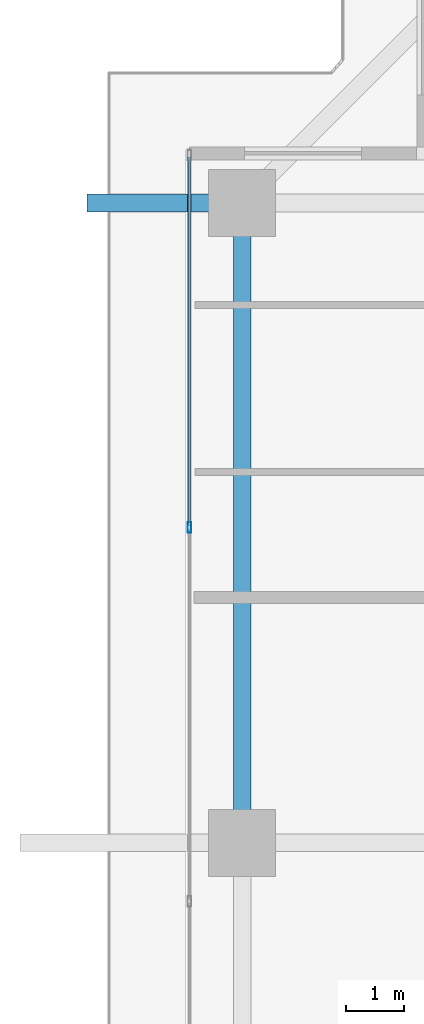
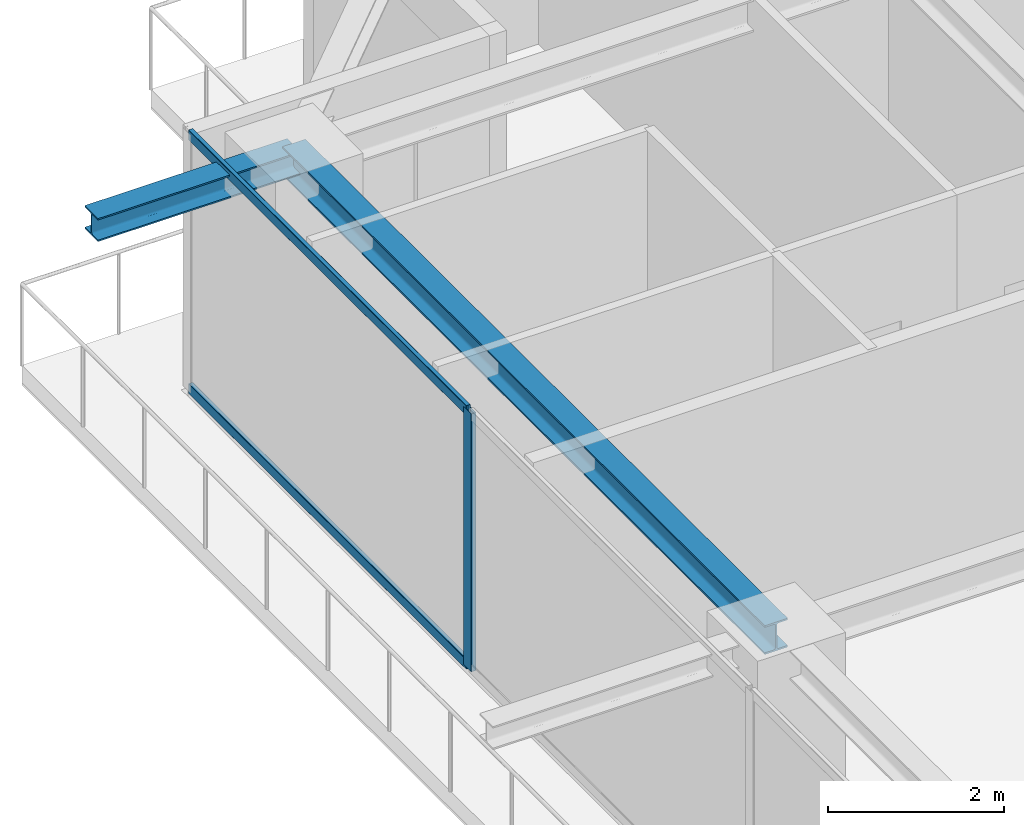
# One storey, part 16 of 37: 3 members, 2 beams, 1 element without a shape of its own.
"""IFC4 building model written with IfcOpenShell, lengths in metres."""

from ifc_helpers import new_model, si_unit, direction, frame, origin, origin_2d, place, context, subcontext, project, spatial, hollow_rectangle, i_section, extrude, source, transform, mapped, material, layer, layer_set, material_profile, profile_set, type_object, element, aggregate, save


model = new_model("IFC4")

# Units and contexts
model_context = context("Model", 3, precision=1e-05, world=origin(), true_north=direction((0.0, 1.0)))
body_context = subcontext(model_context, "Body", "Model", "MODEL_VIEW")
ifc_project = project(units=[si_unit("LENGTHUNIT", "METRE"), si_unit("AREAUNIT", "SQUARE_METRE"), si_unit("VOLUMEUNIT", "CUBIC_METRE"), si_unit("PLANEANGLEUNIT", "RADIAN"), si_unit("MASSUNIT", "GRAM", prefix="KILO")], contexts=[model_context])

# Site, building, storey
site_placement = place(None, origin())
site = spatial("IfcSite", under=ifc_project, at=site_placement, CompositionType="ELEMENT")
building_placement = place(site_placement, origin())
building = spatial("IfcBuilding", under=site, at=building_placement, Name="Serunith Strait Residences", CompositionType="ELEMENT")
storey_placement = place(building_placement, frame((0.0, 0.0, 248.949951171875)))
storey = spatial("IfcBuildingStorey", under=building, at=storey_placement, Name="L62", CompositionType="ELEMENT", Elevation=248.949951171875)

# Beams
ifc_material_1 = material(Name="Steel S355J2", Category="steel")
ifc_material_profile_1 = material_profile(ifc_material_1, i_section(OverallWidth=0.300048828125, OverallDepth=0.39990234375, WebThickness=0.013427734375, FlangeThickness=0.02392578125, FilletRadius=0.027099609375, at=origin_2d()), Name="HEB 400")
ifc_profile_set_1 = profile_set([ifc_material_profile_1], Name="Steel S355J2")
beam_type_1 = type_object("IfcBeamType", Name="BM-HEB400", PredefinedType="BEAM", material=ifc_profile_set_1)
shared_shape_1 = source(origin(), body_context, "Body", "SweptSolid", [
    extrude(i_section(OverallWidth=0.300048828125, OverallDepth=0.39990234375, WebThickness=0.013427734375, FlangeThickness=0.02392578125, FilletRadius=0.027099609375, at=origin_2d()), origin(), (0.0, 0.0, 1.0), 10.9501953125),
])
beam_1_placement = place(storey_placement, frame((8.300048828125, 40.35009765625, 3.386962890625), z_axis=(0.0, -1.0, 0.0), x_axis=(1.0, 0.0, 0.0)))
element("IfcBeam", 1, at=beam_1_placement, inside=storey, type_object=beam_type_1, Name="L62 Perimeter Ring Beam 13", PredefinedType="BEAM", context=body_context, shape_type="MappedRepresentation", body=[
    mapped(shared_shape_1, transform((0.0, 0.0, 0.0), scale=1.0)),
])
ifc_material_profile_2 = material_profile(ifc_material_1, i_section(OverallWidth=0.300048828125, OverallDepth=0.320068359375, WebThickness=0.011474609375, FlangeThickness=0.0205078125, FilletRadius=0.027099609375, at=origin_2d()), Name="HEB 320")
ifc_profile_set_2 = profile_set([ifc_material_profile_2], Name="Steel S355J2")
beam_type_2 = type_object("IfcBeamType", Name="BM-HEB320", PredefinedType="BEAM", material=ifc_profile_set_2)
shared_shape_2 = source(origin(), body_context, "Body", "SweptSolid", [
    extrude(i_section(OverallWidth=0.300048828125, OverallDepth=0.320068359375, WebThickness=0.011474609375, FlangeThickness=0.0205078125, FilletRadius=0.027099609375, at=origin_2d()), origin(), (0.0, 0.0, 1.0), 2.655029296875),
])
beam_2_placement = place(storey_placement, frame((8.300048828125, 40.35009765625, 3.39697265625), z_axis=(-1.0, 0.0, 0.0), x_axis=(0.0, -1.0, 0.0)))
element("IfcBeam", 2, at=beam_2_placement, inside=storey, type_object=beam_type_2, Name="L63 Cantilevered Balcony Rib TC-W4", PredefinedType="BEAM", context=body_context, shape_type="MappedRepresentation", body=[
    mapped(shared_shape_2, transform((0.0, 0.0, 0.0), scale=1.0)),
])

# Curtain wall, members
ifc_material_2 = material(Name="Pale-Champagne Anodised Aluminium", Category="aluminium")
ifc_layer = layer(ifc_material_2, 0.199951171875, Name="Pale-Champagne Anodised Aluminium")
ifc_layer_set = layer_set([ifc_layer], Name="Pale-Champagne Anodised Aluminium")
curtain_wall_type = type_object("IfcCurtainWallType", Name="CW-SYS4", PredefinedType="NOTDEFINED", material=ifc_layer_set)
curtain_wall_placement = place(storey_placement, origin())
curtain_wall = element("IfcCurtainWall", 3, at=curtain_wall_placement, inside=storey, type_object=curtain_wall_type, Name="L62 W Unitised Fritted Curtain Wall", PredefinedType="NOTDEFINED")
ifc_material_profile_3 = material_profile(ifc_material_2, hollow_rectangle(XDim=0.06494140625, YDim=0.179931640625, WallThickness=0.00341796875, InnerFilletRadius=0.00537109375, OuterFilletRadius=0.0087890625, at=origin_2d()), Name="ALU 180x65x3.5")
ifc_profile_set_3 = profile_set([ifc_material_profile_3], Name="Pale-Champagne Anodised Aluminium")
member_type_1 = type_object("IfcMemberType", Name="CW-SYS4-MULL", PredefinedType="MULLION", material=ifc_profile_set_3)
shared_shape_3 = source(origin(), body_context, "Body", "SweptSolid", [
    extrude(hollow_rectangle(XDim=0.06494140625, YDim=0.179931640625, WallThickness=0.00341796875, InnerFilletRadius=0.00537109375, OuterFilletRadius=0.0087890625, at=origin_2d()), origin(), (0.0, 0.0, 1.0), 3.574951171875),
])
member_1_placement = place(storey_placement, frame((7.39990234375, 34.800048828125, 0.0), z_axis=(0.0, 0.0, 1.0), x_axis=(1.0, 0.0, 0.0)))
member_1 = element("IfcMember", 4, at=member_1_placement, type_object=member_type_1, Name="CW-4 mullion 2", PredefinedType="MULLION", context=body_context, shape_type="MappedRepresentation", body=[
    mapped(shared_shape_3, transform((0.0, 0.0, 0.0), scale=1.0)),
])
ifc_material_profile_4 = material_profile(ifc_material_2, hollow_rectangle(XDim=0.06005859375, YDim=0.139892578125, WallThickness=0.00341796875, InnerFilletRadius=0.00537109375, OuterFilletRadius=0.0087890625, at=origin_2d()), Name="ALU 140x60x3.5")
ifc_profile_set_4 = profile_set([ifc_material_profile_4], Name="Pale-Champagne Anodised Aluminium")
member_type_2 = type_object("IfcMemberType", Name="CW-SYS4-TRAN", PredefinedType="USERDEFINED", material=ifc_profile_set_4)
shared_shape_4 = source(origin(), body_context, "Body", "SweptSolid", [
    extrude(hollow_rectangle(XDim=0.06005859375, YDim=0.139892578125, WallThickness=0.00341796875, InnerFilletRadius=0.00537109375, OuterFilletRadius=0.0087890625, at=origin_2d()), origin(), (0.0, 0.0, 1.0), 6.302490234375),
])
member_2_placement = place(storey_placement, frame((7.39990234375, 41.135009765625, 0.030029296875), z_axis=(0.0, -1.0, 0.0), x_axis=(1.0, 0.0, 0.0)))
member_2 = element("IfcMember", 5, at=member_2_placement, type_object=member_type_2, Name="CW-4 transom 1.1", ObjectType="TRANSOM", PredefinedType="USERDEFINED", context=body_context, shape_type="MappedRepresentation", body=[
    mapped(shared_shape_4, transform((0.0, 0.0, 0.0), scale=1.0)),
])
member_3_placement = place(storey_placement, frame((7.39990234375, 41.135009765625, 3.545166015625), z_axis=(0.0, -1.0, 0.0), x_axis=(1.0, 0.0, 0.0)))
member_3 = element("IfcMember", 6, at=member_3_placement, type_object=member_type_2, Name="CW-4 transom 1.2", ObjectType="TRANSOM", PredefinedType="USERDEFINED", context=body_context, shape_type="MappedRepresentation", body=[
    mapped(shared_shape_4, transform((0.0, 0.0, 0.0), scale=1.0)),
])
aggregate(curtain_wall, [member_1, member_2, member_3])

save(model, "model.ifc")
